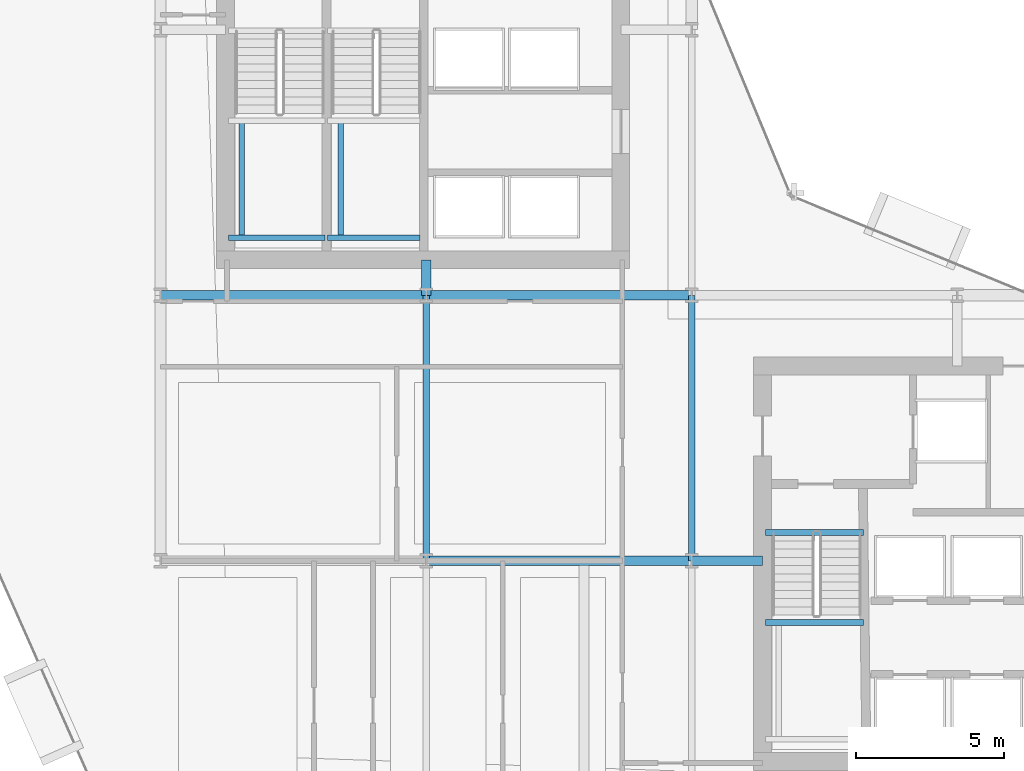
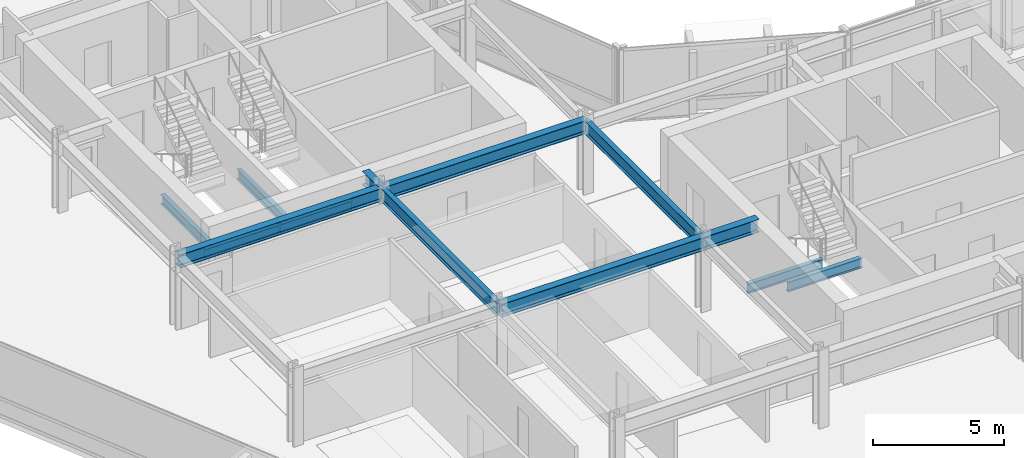
# One storey, part 7 of 34: 13 beams.
"""IFC4 building model written with IfcOpenShell, lengths in metres."""

from ifc_helpers import new_model, si_unit, direction, frame, origin, origin_2d, place, context, subcontext, project, spatial, i_section, extrude, material, material_profile, profile_set, type_object, element, save


model = new_model("IFC4")

# Units and contexts
model_context = context("Model", 3, precision=1e-05, world=origin(), true_north=direction((0.0, 1.0)))
body_context = subcontext(model_context, "Body", "Model", "MODEL_VIEW")
ifc_project = project(units=[si_unit("LENGTHUNIT", "METRE"), si_unit("AREAUNIT", "SQUARE_METRE"), si_unit("VOLUMEUNIT", "CUBIC_METRE"), si_unit("PLANEANGLEUNIT", "RADIAN"), si_unit("MASSUNIT", "GRAM", prefix="KILO")], contexts=[model_context])

# Site, building, storey
site_placement = place(None, origin())
site = spatial("IfcSite", under=ifc_project, at=site_placement, CompositionType="ELEMENT")
building_placement = place(site_placement, origin())
building = spatial("IfcBuilding", under=site, at=building_placement, Name="Solvaryn Broadcast Tower", CompositionType="ELEMENT")
storey_placement = place(building_placement, frame((0.0, 0.0, 47.10009765625)))
storey = spatial("IfcBuildingStorey", under=building, at=storey_placement, Name="L10", CompositionType="ELEMENT", Elevation=47.10009765625)

# Beams
ifc_material_1 = material(Name="Steel ASTM A992 Grade 50", Category="steel")
ifc_material_profile_1 = material_profile(ifc_material_1, i_section(OverallWidth=0.323974609375, OverallDepth=0.611083984375, WebThickness=0.0126953125, FlangeThickness=0.01904296875, FilletRadius=0.014892578125, at=origin_2d()))
ifc_profile_set_1 = profile_set([ifc_material_profile_1], Name="Steel ASTM A992 Grade 50")
beam_type_1 = type_object("IfcBeamType", Name="BM-B1-W24X104", PredefinedType="BEAM", material=ifc_profile_set_1)
for number, where, z_axis, x_axis, name in (
    (1, (18.0, 18.0, 3.114501953125), (1.0, 0.0, 0.0), (0.0, 1.0, 0.0), "L10 Primary Beam X (18-27 @ Y=18)"),
    (2, (9.0, 27.0, 3.114501953125), (1.0, 0.0, 0.0), (0.0, 1.0, 0.0), "L10 Primary Beam X (9-18 @ Y=27)"),
    (3, (18.0, 27.0, 3.114501953125), (1.0, 0.0, 0.0), (0.0, 1.0, 0.0), "L10 Primary Beam X (18-27 @ Y=27)"),
):
    element("IfcBeam", number, at=place(storey_placement, frame(where, z_axis=z_axis, x_axis=x_axis)), inside=storey, type_object=beam_type_1, Name=name, PredefinedType="BEAM", context=body_context, shape_type="SweptSolid", body=[
        extrude(i_section(OverallWidth=0.323974609375, OverallDepth=0.611083984375, WebThickness=0.0126953125, FlangeThickness=0.01904296875, FilletRadius=0.014892578125, at=origin_2d()), origin(), (0.0, 0.0, 1.0), 9.0),
    ])
beam_1_placement = place(storey_placement, frame((18.0, 27.0, 3.114501953125), z_axis=(0.0, 1.0, 0.0), x_axis=(-1.0, 0.0, 0.0)))
element("IfcBeam", 4, at=beam_1_placement, inside=storey, type_object=beam_type_1, Name="L10 Core Tie Beam CTW4", PredefinedType="BEAM", context=body_context, shape_type="SweptSolid", body=[
    extrude(i_section(OverallWidth=0.323974609375, OverallDepth=0.611083984375, WebThickness=0.0126953125, FlangeThickness=0.01904296875, FilletRadius=0.014892578125, at=origin_2d()), origin(), (0.0, 0.0, 1.0), 1.199951171875),
])
beam_2_placement = place(storey_placement, frame((27.0, 18.0, 3.114501953125), z_axis=(1.0, 0.0, 0.0), x_axis=(0.0, 1.0, 0.0)))
element("IfcBeam", 5, at=beam_2_placement, inside=storey, type_object=beam_type_1, Name="L10 Core Tie Beam CTE4", PredefinedType="BEAM", context=body_context, shape_type="SweptSolid", body=[
    extrude(i_section(OverallWidth=0.323974609375, OverallDepth=0.611083984375, WebThickness=0.0126953125, FlangeThickness=0.01904296875, FilletRadius=0.014892578125, at=origin_2d()), origin(), (0.0, 0.0, 1.0), 2.39990234375),
])
ifc_material_2 = material(Name="Steel ASTM A992 Grade 50", Category="steel")
ifc_material_profile_2 = material_profile(ifc_material_2, i_section(OverallWidth=0.22802734375, OverallDepth=0.60791015625, WebThickness=0.01123046875, FlangeThickness=0.017333984375, FilletRadius=0.014892578125, at=origin_2d()))
ifc_profile_set_2 = profile_set([ifc_material_profile_2], Name="Steel ASTM A992 Grade 50")
beam_type_2 = type_object("IfcBeamType", Name="BM-B2-W24X76", PredefinedType="BEAM", material=ifc_profile_set_2)
for number, where, z_axis, x_axis, name in (
    (6, (18.0, 18.0, 3.115966796875), (0.0, 1.0, 0.0), (-1.0, 0.0, 0.0), "L10 Primary Beam Y (18-27 @ X=18)"),
    (7, (27.0, 18.0, 3.115966796875), (0.0, 1.0, 0.0), (-1.0, 0.0, 0.0), "L10 Primary Beam Y (18-27 @ X=27)"),
):
    element("IfcBeam", number, at=place(storey_placement, frame(where, z_axis=z_axis, x_axis=x_axis)), inside=storey, type_object=beam_type_2, Name=name, PredefinedType="BEAM", context=body_context, shape_type="SweptSolid", body=[
        extrude(i_section(OverallWidth=0.22802734375, OverallDepth=0.60791015625, WebThickness=0.01123046875, FlangeThickness=0.017333984375, FilletRadius=0.014892578125, at=origin_2d()), origin(), (0.0, 0.0, 1.0), 9.0),
    ])
ifc_material_3 = material(Name="Steel ASTM A992 Grade 50", Category="steel")
ifc_material_profile_3 = material_profile(ifc_material_3, i_section(OverallWidth=0.18994140625, OverallDepth=0.45703125, WebThickness=0.009033203125, FlangeThickness=0.014404296875, FilletRadius=0.011962890625, at=origin_2d()))
ifc_profile_set_3 = profile_set([ifc_material_profile_3], Name="Steel ASTM A992 Grade 50")
beam_type_3 = type_object("IfcBeamType", Name="BM-B4-W18X50", PredefinedType="BEAM", material=ifc_profile_set_3)
beam_3_placement = place(storey_placement, frame((11.300048828125, 28.949951171875, 1.42138671875), z_axis=(1.0, 0.0, 0.0), x_axis=(0.0, 1.0, 0.0)))
element("IfcBeam", 8, at=beam_3_placement, inside=storey, type_object=beam_type_3, Name="L10 ST1 Landing Support Beam 1A", PredefinedType="BEAM", context=body_context, shape_type="SweptSolid", body=[
    extrude(i_section(OverallWidth=0.18994140625, OverallDepth=0.45703125, WebThickness=0.009033203125, FlangeThickness=0.014404296875, FilletRadius=0.011962890625, at=origin_2d()), origin(), (0.0, 0.0, 1.0), 3.280029296875),
])
beam_4_placement = place(storey_placement, frame((11.75, 28.949951171875, 1.42138671875), z_axis=(0.0, 1.0, 0.0), x_axis=(-1.0, 0.0, 0.0)))
element("IfcBeam", 9, at=beam_4_placement, inside=storey, type_object=beam_type_3, Name="L10 ST1 Landing Cross Stringer 1C", PredefinedType="BEAM", context=body_context, shape_type="SweptSolid", body=[
    extrude(i_section(OverallWidth=0.18994140625, OverallDepth=0.45703125, WebThickness=0.009033203125, FlangeThickness=0.014404296875, FilletRadius=0.011962890625, at=origin_2d()), origin(), (0.0, 0.0, 1.0), 3.9599609375),
])
beam_5_placement = place(storey_placement, frame((14.659912109375, 28.949951171875, 1.42138671875), z_axis=(1.0, 0.0, 0.0), x_axis=(0.0, 1.0, 0.0)))
element("IfcBeam", 10, at=beam_5_placement, inside=storey, type_object=beam_type_3, Name="L10 ST2 Landing Support Beam 1A", PredefinedType="BEAM", context=body_context, shape_type="SweptSolid", body=[
    extrude(i_section(OverallWidth=0.18994140625, OverallDepth=0.45703125, WebThickness=0.009033203125, FlangeThickness=0.014404296875, FilletRadius=0.011962890625, at=origin_2d()), origin(), (0.0, 0.0, 1.0), 3.14013671875),
])
beam_6_placement = place(storey_placement, frame((15.110107421875, 28.949951171875, 1.42138671875), z_axis=(0.0, 1.0, 0.0), x_axis=(-1.0, 0.0, 0.0)))
element("IfcBeam", 11, at=beam_6_placement, inside=storey, type_object=beam_type_3, Name="L10 ST2 Landing Cross Stringer 1C", PredefinedType="BEAM", context=body_context, shape_type="SweptSolid", body=[
    extrude(i_section(OverallWidth=0.18994140625, OverallDepth=0.45703125, WebThickness=0.009033203125, FlangeThickness=0.014404296875, FilletRadius=0.011962890625, at=origin_2d()), origin(), (0.0, 0.0, 1.0), 3.9599609375),
])
for number, where, z_axis, x_axis, name in (
    (12, (29.5, 18.9599609375, -0.508544921875), (1.0, 0.0, 0.0), (0.0, 1.0, 0.0), "L10 ST3 Stair Well Trimmer Beam"),
    (13, (29.5, 15.909912109375, 1.42138671875), (1.0, 0.0, 0.0), (0.0, 1.0, 0.0), "L10 ST3 Landing Support Beam 1B"),
):
    element("IfcBeam", number, at=place(storey_placement, frame(where, z_axis=z_axis, x_axis=x_axis)), inside=storey, type_object=beam_type_3, Name=name, PredefinedType="BEAM", context=body_context, shape_type="SweptSolid", body=[
        extrude(i_section(OverallWidth=0.18994140625, OverallDepth=0.45703125, WebThickness=0.009033203125, FlangeThickness=0.014404296875, FilletRadius=0.011962890625, at=origin_2d()), origin(), (0.0, 0.0, 1.0), 3.320068359375),
    ])

save(model, "model.ifc")
